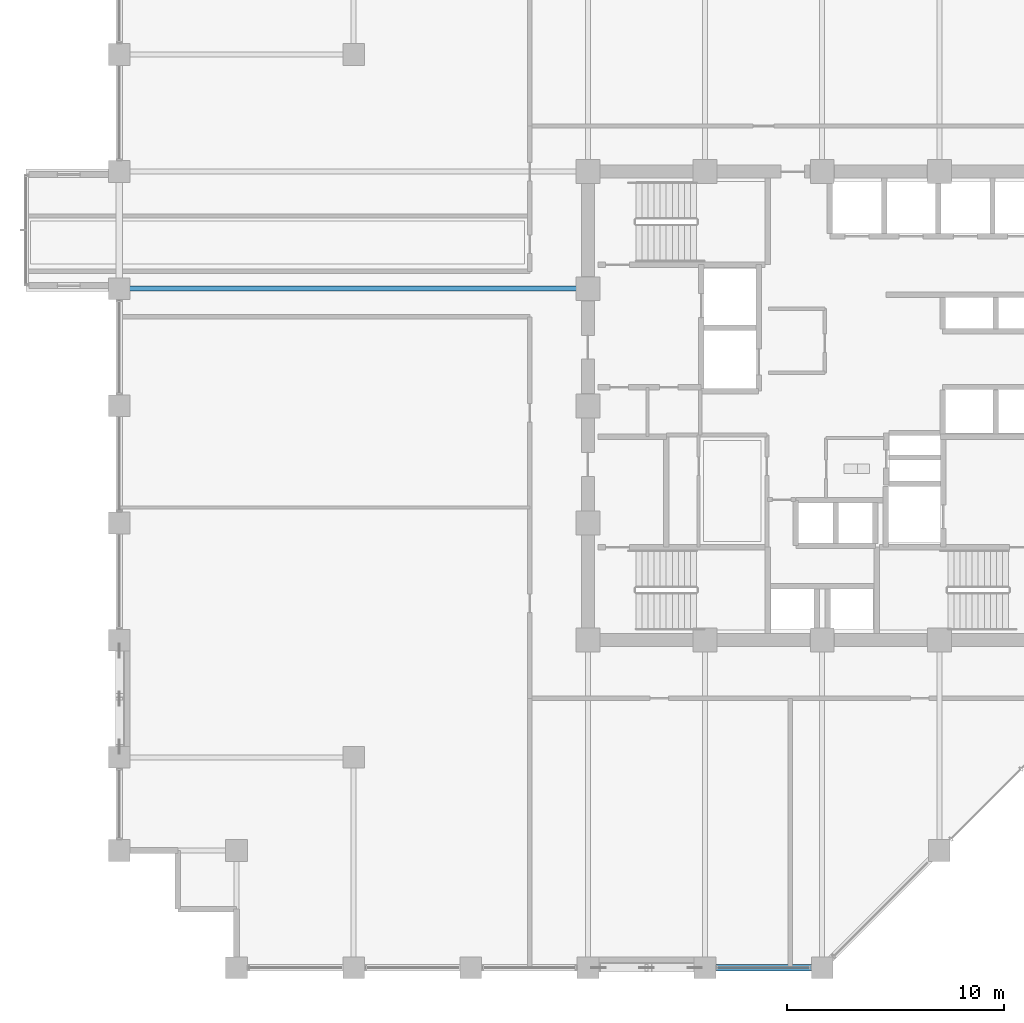
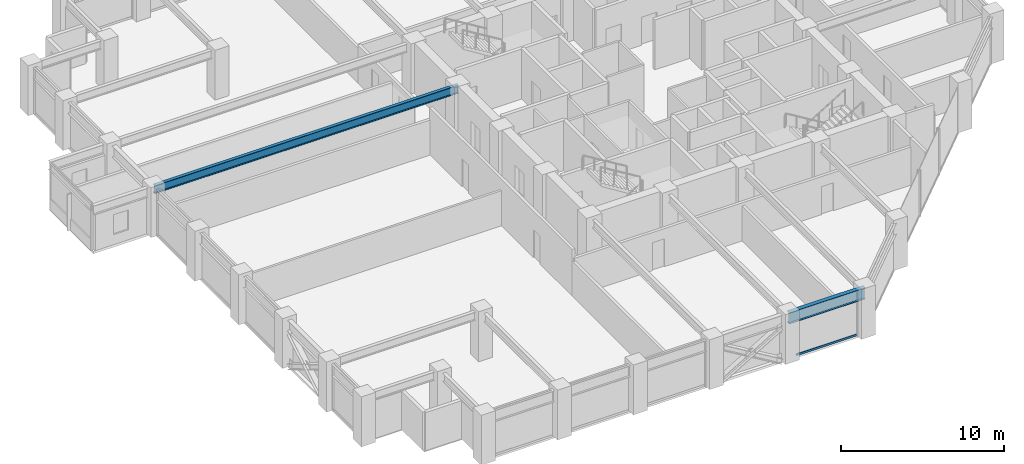
# One storey, part 6 of 29: 2 beams, 1 member, 1 element without a shape of its own.
"""IFC4 building model written with IfcOpenShell, lengths in metres."""

from ifc_helpers import new_model, si_unit, direction, frame, origin, origin_2d, place, context, subcontext, project, spatial, hollow_rectangle, i_section, extrude, material, layer, layer_set, material_profile, profile_set, type_object, element, aggregate, save


model = new_model("IFC4")

# Units and contexts
model_context = context("Model", 3, precision=1e-05, world=origin(), true_north=direction((0.0, 1.0)))
body_context = subcontext(model_context, "Body", "Model", "MODEL_VIEW")
ifc_project = project(units=[si_unit("LENGTHUNIT", "METRE"), si_unit("AREAUNIT", "SQUARE_METRE"), si_unit("VOLUMEUNIT", "CUBIC_METRE"), si_unit("PLANEANGLEUNIT", "RADIAN"), si_unit("MASSUNIT", "GRAM", prefix="KILO")], contexts=[model_context])

# Site, building, storey
site_placement = place(None, origin())
site = spatial("IfcSite", under=ifc_project, at=site_placement, CompositionType="ELEMENT")
building_placement = place(site_placement, origin())
building = spatial("IfcBuilding", under=site, at=building_placement, Name="Surkhivell Harbour Commons", CompositionType="ELEMENT")
storey_placement = place(building_placement, frame((0.0, 0.0, 158.25)))
storey = spatial("IfcBuildingStorey", under=building, at=storey_placement, Name="L41", CompositionType="ELEMENT", Elevation=158.25)

# Beams
ifc_material_1 = material(Name="Steel S355", Category="steel")
ifc_material_profile_1 = material_profile(ifc_material_1, i_section(OverallWidth=0.22998046875, OverallDepth=0.616943359375, WebThickness=0.01318359375, FlangeThickness=0.022216796875, at=origin_2d()), Name="UB610x229x140")
ifc_profile_set_1 = profile_set([ifc_material_profile_1], Name="Steel S355")
beam_type_1 = type_object("IfcBeamType", Name="BM-GRD-610B", PredefinedType="BEAM", material=ifc_profile_set_1)
beam_1_placement = place(storey_placement, frame((-32.39990234375, 5.39990234375, 3.19140625), z_axis=(1.0, 0.0, 0.0), x_axis=(0.0, 1.0, 0.0)))
element("IfcBeam", 1, at=beam_1_placement, inside=storey, type_object=beam_type_1, Name="L41 Cantilever Back-Span Girder (-32.4,5.4)", PredefinedType="BEAM", context=body_context, shape_type="SweptSolid", body=[
    extrude(i_section(OverallWidth=0.22998046875, OverallDepth=0.616943359375, WebThickness=0.01318359375, FlangeThickness=0.022216796875, at=origin_2d()), origin(), (0.0, 0.0, 1.0), 21.599853515625),
])
ifc_material_2 = material(Name="Steel S460", Category="steel")
ifc_material_profile_2 = material_profile(ifc_material_2, i_section(OverallWidth=0.2939453125, OverallDepth=0.85107421875, WebThickness=0.01611328125, FlangeThickness=0.02685546875, at=origin_2d()), Name="UB838x292x226")
ifc_profile_set_2 = profile_set([ifc_material_profile_2], Name="Steel S460")
beam_type_2 = type_object("IfcBeamType", Name="BM-SPN-838", PredefinedType="SPANDREL", material=ifc_profile_set_2)
beam_2_placement = place(storey_placement, frame((-5.39990234375, -25.89990234375, 3.074462890625), z_axis=(1.0, 0.0, 0.0), x_axis=(0.0, 1.0, 0.0)))
element("IfcBeam", 2, at=beam_2_placement, inside=storey, type_object=beam_type_2, Name="L41 Tube Spandrel (-5.4,-25.9)", PredefinedType="SPANDREL", context=body_context, shape_type="SweptSolid", body=[
    extrude(i_section(OverallWidth=0.2939453125, OverallDepth=0.85107421875, WebThickness=0.01611328125, FlangeThickness=0.02685546875, at=origin_2d()), origin(), (0.0, 0.0, 1.0), 5.39990234375),
])

# Curtain wall, member
ifc_material_3 = material(Name="Anodised pale-metal aluminium and insulated glazing", Category="aluminium")
ifc_layer = layer(ifc_material_3, 0.205078125)
ifc_layer_set = layer_set([ifc_layer], Name="Anodised pale-metal aluminium and insulated glazing")
curtain_wall_type = type_object("IfcCurtainWallType", Name="CW-SYS-Z2", PredefinedType="NOTDEFINED", material=ifc_layer_set)
curtain_wall_placement = place(storey_placement, origin())
curtain_wall = element("IfcCurtainWall", 3, at=curtain_wall_placement, inside=storey, type_object=curtain_wall_type, Name="L41 Curtain Wall CW-L41-E00S2", PredefinedType="NOTDEFINED")
ifc_material_4 = material(Name="Anodised pale-metal aluminium alloy 6063-T6", Category="aluminium")
ifc_material_profile_3 = material_profile(ifc_material_4, hollow_rectangle(XDim=0.074951171875, YDim=0.14990234375, WallThickness=0.00341796875, at=origin_2d()), Name="ALU-TRAN-75x150")
ifc_profile_set_3 = profile_set([ifc_material_profile_3], Name="Anodised pale-metal aluminium alloy 6063-T6")
member_type = type_object("IfcMemberType", Name="CWT-150", PredefinedType="USERDEFINED", material=ifc_profile_set_3)
member_placement = place(storey_placement, frame((-4.822998046875, -25.89990234375, 0.074951171875), z_axis=(1.0, 0.0, 0.0), x_axis=(0.0, 1.0, 0.0)))
member = element("IfcMember", 4, at=member_placement, type_object=member_type, Name="CW-Z2 transom 1.1", ObjectType="TRANSOM", PredefinedType="USERDEFINED", context=body_context, shape_type="SweptSolid", body=[
    extrude(hollow_rectangle(XDim=0.074951171875, YDim=0.14990234375, WallThickness=0.00341796875, at=origin_2d()), origin(), (0.0, 0.0, 1.0), 4.24609375),
])
aggregate(curtain_wall, [member])

save(model, "model.ifc")
